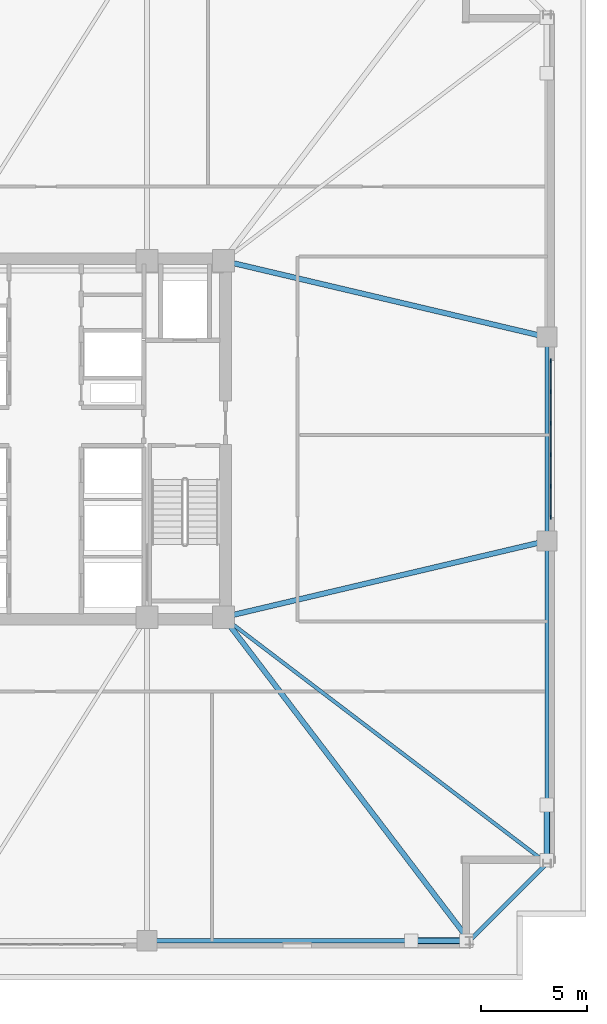
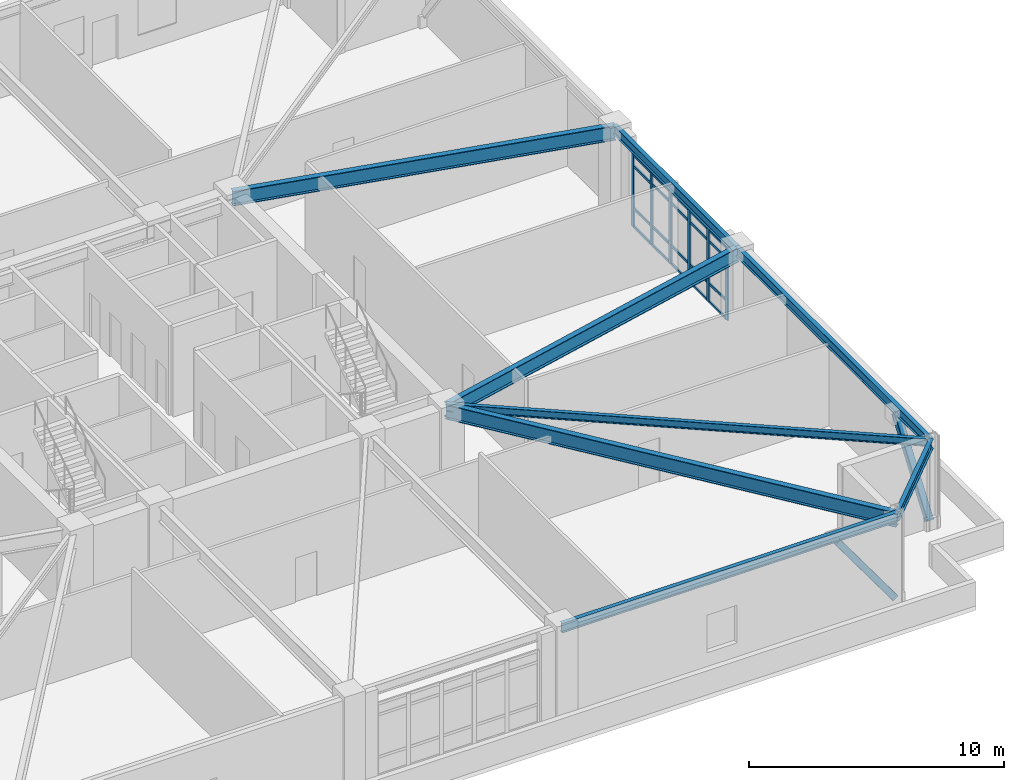
# One storey, part 4 of 13: 28 members, 8 beams, 1 element without a shape of its own.
"""IFC4 building model written with IfcOpenShell, lengths in metres."""

from ifc_helpers import new_model, si_unit, direction, frame, origin, origin_2d, place, context, subcontext, project, spatial, rectangle, hollow_rectangle, i_section, extrude, material, layer, layer_set, material_profile, profile_set, type_object, element, aggregate, save


model = new_model("IFC4")

# Units and contexts
model_context = context("Model", 3, precision=1e-05, world=origin(), true_north=direction((0.0, 1.0)))
body_context = subcontext(model_context, "Body", "Model", "MODEL_VIEW")
ifc_project = project(units=[si_unit("LENGTHUNIT", "METRE"), si_unit("AREAUNIT", "SQUARE_METRE"), si_unit("VOLUMEUNIT", "CUBIC_METRE"), si_unit("PLANEANGLEUNIT", "RADIAN"), si_unit("MASSUNIT", "GRAM", prefix="KILO")], contexts=[model_context])

# Site, building, storey
site_placement = place(None, origin())
site = spatial("IfcSite", under=ifc_project, at=site_placement, CompositionType="ELEMENT")
building_placement = place(site_placement, origin())
building = spatial("IfcBuilding", under=site, at=building_placement, Name="Cairnveth Concourse Tower", CompositionType="ELEMENT")
storey_placement = place(building_placement, frame((0.0, 0.0, 101.5)))
storey = spatial("IfcBuildingStorey", under=building, at=storey_placement, Name="L27", CompositionType="ELEMENT", Elevation=101.5)

# Curtain wall, members
ifc_material_1 = material(Name="Architectural Bronze Anodised Aluminium 6063-T6", Category="aluminium")
ifc_layer = layer(ifc_material_1, 0.320068359375)
ifc_layer_set = layer_set([ifc_layer], Name="Architectural Bronze Anodised Aluminium 6063-T6")
curtain_wall_type = type_object("IfcCurtainWallType", Name="SKY LOBBY WINTERGARDEN CURTAIN WALL", PredefinedType="USERDEFINED", material=ifc_layer_set)
curtain_wall_placement = place(storey_placement, origin())
curtain_wall = element("IfcCurtainWall", 1, at=curtain_wall_placement, inside=storey, type_object=curtain_wall_type, Name="Curtain Wall CW-L27-F3", ObjectType="UNITISED FACADE", PredefinedType="USERDEFINED")
ifc_material_profile_1 = material_profile(ifc_material_1, rectangle(XDim=0.06494140625, YDim=0.179931640625, at=origin_2d()), Name="AL-MUL-65x180")
ifc_profile_set_1 = profile_set([ifc_material_profile_1], Name="Architectural Bronze Anodised Aluminium 6063-T6")
member_type_1 = type_object("IfcMemberType", Name="BRONZE CURTAIN WALL MULLION AL-MUL-65x180", PredefinedType="MULLION", material=ifc_profile_set_1)
member_1_placement = place(storey_placement, frame((75.830078125, 42.6826171875, 0.0), z_axis=(0.0, 0.0, 1.0), x_axis=(1.0, 0.0, 0.0)))
member_1 = element("IfcMember", 2, at=member_1_placement, type_object=member_type_1, Name="CWS4 mullion 1", PredefinedType="MULLION", context=body_context, shape_type="SweptSolid", body=[
    extrude(rectangle(XDim=0.06494140625, YDim=0.179931640625, at=origin_2d()), origin(), (0.0, 0.0, 1.0), 3.47998046875),
])
member_2_placement = place(storey_placement, frame((75.830078125, 41.22900390625, 0.0), z_axis=(0.0, 0.0, 1.0), x_axis=(1.0, 0.0, 0.0)))
member_2 = element("IfcMember", 3, at=member_2_placement, type_object=member_type_1, Name="CWS4 mullion 2", PredefinedType="MULLION", context=body_context, shape_type="SweptSolid", body=[
    extrude(rectangle(XDim=0.06494140625, YDim=0.179931640625, at=origin_2d()), origin(), (0.0, 0.0, 1.0), 3.47998046875),
])
member_3_placement = place(storey_placement, frame((75.830078125, 39.742919921875, 0.0), z_axis=(0.0, 0.0, 1.0), x_axis=(1.0, 0.0, 0.0)))
member_3 = element("IfcMember", 4, at=member_3_placement, type_object=member_type_1, Name="CWS4 mullion 3", PredefinedType="MULLION", context=body_context, shape_type="SweptSolid", body=[
    extrude(rectangle(XDim=0.06494140625, YDim=0.179931640625, at=origin_2d()), origin(), (0.0, 0.0, 1.0), 3.47998046875),
])
member_4_placement = place(storey_placement, frame((75.830078125, 38.257080078125, 0.0), z_axis=(0.0, 0.0, 1.0), x_axis=(1.0, 0.0, 0.0)))
member_4 = element("IfcMember", 5, at=member_4_placement, type_object=member_type_1, Name="CWS4 mullion 4", PredefinedType="MULLION", context=body_context, shape_type="SweptSolid", body=[
    extrude(rectangle(XDim=0.06494140625, YDim=0.179931640625, at=origin_2d()), origin(), (0.0, 0.0, 1.0), 3.47998046875),
])
member_5_placement = place(storey_placement, frame((75.830078125, 36.77099609375, 0.0), z_axis=(0.0, 0.0, 1.0), x_axis=(1.0, 0.0, 0.0)))
member_5 = element("IfcMember", 6, at=member_5_placement, type_object=member_type_1, Name="CWS4 mullion 5", PredefinedType="MULLION", context=body_context, shape_type="SweptSolid", body=[
    extrude(rectangle(XDim=0.06494140625, YDim=0.179931640625, at=origin_2d()), origin(), (0.0, 0.0, 1.0), 3.47998046875),
])
member_6_placement = place(storey_placement, frame((75.830078125, 35.3173828125, 0.0), z_axis=(0.0, 0.0, 1.0), x_axis=(1.0, 0.0, 0.0)))
member_6 = element("IfcMember", 7, at=member_6_placement, type_object=member_type_1, Name="CWS4 mullion 6", PredefinedType="MULLION", context=body_context, shape_type="SweptSolid", body=[
    extrude(rectangle(XDim=0.06494140625, YDim=0.179931640625, at=origin_2d()), origin(), (0.0, 0.0, 1.0), 3.47998046875),
])
ifc_material_profile_2 = material_profile(ifc_material_1, rectangle(XDim=0.06494140625, YDim=0.1201171875, at=origin_2d()), Name="AL-TRN-65x120")
ifc_profile_set_2 = profile_set([ifc_material_profile_2], Name="Architectural Bronze Anodised Aluminium 6063-T6")
member_type_2 = type_object("IfcMemberType", Name="BRONZE CURTAIN WALL TRANSOM AL-TRN-65x120", PredefinedType="USERDEFINED", material=ifc_profile_set_2)
member_7_placement = place(storey_placement, frame((75.830078125, 42.64990234375, 0.032470703125), z_axis=(0.0, -1.0, 0.0), x_axis=(1.0, 0.0, 0.0)))
member_7 = element("IfcMember", 8, at=member_7_placement, type_object=member_type_2, Name="CWS4 transom 1.1", ObjectType="TRANSOM", PredefinedType="USERDEFINED", context=body_context, shape_type="SweptSolid", body=[
    extrude(rectangle(XDim=0.06494140625, YDim=0.1201171875, at=origin_2d()), origin(), (0.0, 0.0, 1.0), 1.388427734375),
])
member_8_placement = place(storey_placement, frame((75.830078125, 42.64990234375, 0.89990234375), z_axis=(0.0, -1.0, 0.0), x_axis=(1.0, 0.0, 0.0)))
member_8 = element("IfcMember", 9, at=member_8_placement, type_object=member_type_2, Name="CWS4 transom 1.2", ObjectType="TRANSOM", PredefinedType="USERDEFINED", context=body_context, shape_type="SweptSolid", body=[
    extrude(rectangle(XDim=0.06494140625, YDim=0.1201171875, at=origin_2d()), origin(), (0.0, 0.0, 1.0), 1.388427734375),
])
member_9_placement = place(storey_placement, frame((75.830078125, 42.64990234375, 2.929931640625), z_axis=(0.0, -1.0, 0.0), x_axis=(1.0, 0.0, 0.0)))
member_9 = element("IfcMember", 10, at=member_9_placement, type_object=member_type_2, Name="CWS4 transom 1.3", ObjectType="TRANSOM", PredefinedType="USERDEFINED", context=body_context, shape_type="SweptSolid", body=[
    extrude(rectangle(XDim=0.06494140625, YDim=0.1201171875, at=origin_2d()), origin(), (0.0, 0.0, 1.0), 1.388427734375),
])
member_10_placement = place(storey_placement, frame((75.830078125, 42.64990234375, 3.447509765625), z_axis=(0.0, -1.0, 0.0), x_axis=(1.0, 0.0, 0.0)))
member_10 = element("IfcMember", 11, at=member_10_placement, type_object=member_type_2, Name="CWS4 transom 1.4", ObjectType="TRANSOM", PredefinedType="USERDEFINED", context=body_context, shape_type="SweptSolid", body=[
    extrude(rectangle(XDim=0.06494140625, YDim=0.1201171875, at=origin_2d()), origin(), (0.0, 0.0, 1.0), 1.388427734375),
])
member_11_placement = place(storey_placement, frame((75.830078125, 41.196533203125, 0.032470703125), z_axis=(0.0, -1.0, 0.0), x_axis=(1.0, 0.0, 0.0)))
member_11 = element("IfcMember", 12, at=member_11_placement, type_object=member_type_2, Name="CWS4 transom 2.1", ObjectType="TRANSOM", PredefinedType="USERDEFINED", context=body_context, shape_type="SweptSolid", body=[
    extrude(rectangle(XDim=0.06494140625, YDim=0.1201171875, at=origin_2d()), origin(), (0.0, 0.0, 1.0), 1.421142578125),
])
member_12_placement = place(storey_placement, frame((75.830078125, 41.196533203125, 0.89990234375), z_axis=(0.0, -1.0, 0.0), x_axis=(1.0, 0.0, 0.0)))
member_12 = element("IfcMember", 13, at=member_12_placement, type_object=member_type_2, Name="CWS4 transom 2.2", ObjectType="TRANSOM", PredefinedType="USERDEFINED", context=body_context, shape_type="SweptSolid", body=[
    extrude(rectangle(XDim=0.06494140625, YDim=0.1201171875, at=origin_2d()), origin(), (0.0, 0.0, 1.0), 1.421142578125),
])
member_13_placement = place(storey_placement, frame((75.830078125, 41.196533203125, 2.929931640625), z_axis=(0.0, -1.0, 0.0), x_axis=(1.0, 0.0, 0.0)))
member_13 = element("IfcMember", 14, at=member_13_placement, type_object=member_type_2, Name="CWS4 transom 2.3", ObjectType="TRANSOM", PredefinedType="USERDEFINED", context=body_context, shape_type="SweptSolid", body=[
    extrude(rectangle(XDim=0.06494140625, YDim=0.1201171875, at=origin_2d()), origin(), (0.0, 0.0, 1.0), 1.421142578125),
])
member_14_placement = place(storey_placement, frame((75.830078125, 41.196533203125, 3.447509765625), z_axis=(0.0, -1.0, 0.0), x_axis=(1.0, 0.0, 0.0)))
member_14 = element("IfcMember", 15, at=member_14_placement, type_object=member_type_2, Name="CWS4 transom 2.4", ObjectType="TRANSOM", PredefinedType="USERDEFINED", context=body_context, shape_type="SweptSolid", body=[
    extrude(rectangle(XDim=0.06494140625, YDim=0.1201171875, at=origin_2d()), origin(), (0.0, 0.0, 1.0), 1.421142578125),
])
member_15_placement = place(storey_placement, frame((75.830078125, 39.71044921875, 0.032470703125), z_axis=(0.0, -1.0, 0.0), x_axis=(1.0, 0.0, 0.0)))
member_15 = element("IfcMember", 16, at=member_15_placement, type_object=member_type_2, Name="CWS4 transom 3.1", ObjectType="TRANSOM", PredefinedType="USERDEFINED", context=body_context, shape_type="SweptSolid", body=[
    extrude(rectangle(XDim=0.06494140625, YDim=0.1201171875, at=origin_2d()), origin(), (0.0, 0.0, 1.0), 1.4208984375),
])
member_16_placement = place(storey_placement, frame((75.830078125, 39.71044921875, 0.89990234375), z_axis=(0.0, -1.0, 0.0), x_axis=(1.0, 0.0, 0.0)))
member_16 = element("IfcMember", 17, at=member_16_placement, type_object=member_type_2, Name="CWS4 transom 3.2", ObjectType="TRANSOM", PredefinedType="USERDEFINED", context=body_context, shape_type="SweptSolid", body=[
    extrude(rectangle(XDim=0.06494140625, YDim=0.1201171875, at=origin_2d()), origin(), (0.0, 0.0, 1.0), 1.4208984375),
])
member_17_placement = place(storey_placement, frame((75.830078125, 39.71044921875, 2.929931640625), z_axis=(0.0, -1.0, 0.0), x_axis=(1.0, 0.0, 0.0)))
member_17 = element("IfcMember", 18, at=member_17_placement, type_object=member_type_2, Name="CWS4 transom 3.3", ObjectType="TRANSOM", PredefinedType="USERDEFINED", context=body_context, shape_type="SweptSolid", body=[
    extrude(rectangle(XDim=0.06494140625, YDim=0.1201171875, at=origin_2d()), origin(), (0.0, 0.0, 1.0), 1.4208984375),
])
member_18_placement = place(storey_placement, frame((75.830078125, 39.71044921875, 3.447509765625), z_axis=(0.0, -1.0, 0.0), x_axis=(1.0, 0.0, 0.0)))
member_18 = element("IfcMember", 19, at=member_18_placement, type_object=member_type_2, Name="CWS4 transom 3.4", ObjectType="TRANSOM", PredefinedType="USERDEFINED", context=body_context, shape_type="SweptSolid", body=[
    extrude(rectangle(XDim=0.06494140625, YDim=0.1201171875, at=origin_2d()), origin(), (0.0, 0.0, 1.0), 1.4208984375),
])
member_19_placement = place(storey_placement, frame((75.830078125, 38.224609375, 0.032470703125), z_axis=(0.0, -1.0, 0.0), x_axis=(1.0, 0.0, 0.0)))
member_19 = element("IfcMember", 20, at=member_19_placement, type_object=member_type_2, Name="CWS4 transom 4.1", ObjectType="TRANSOM", PredefinedType="USERDEFINED", context=body_context, shape_type="SweptSolid", body=[
    extrude(rectangle(XDim=0.06494140625, YDim=0.1201171875, at=origin_2d()), origin(), (0.0, 0.0, 1.0), 1.421142578125),
])
member_20_placement = place(storey_placement, frame((75.830078125, 38.224609375, 0.89990234375), z_axis=(0.0, -1.0, 0.0), x_axis=(1.0, 0.0, 0.0)))
member_20 = element("IfcMember", 21, at=member_20_placement, type_object=member_type_2, Name="CWS4 transom 4.2", ObjectType="TRANSOM", PredefinedType="USERDEFINED", context=body_context, shape_type="SweptSolid", body=[
    extrude(rectangle(XDim=0.06494140625, YDim=0.1201171875, at=origin_2d()), origin(), (0.0, 0.0, 1.0), 1.421142578125),
])
member_21_placement = place(storey_placement, frame((75.830078125, 38.224609375, 2.929931640625), z_axis=(0.0, -1.0, 0.0), x_axis=(1.0, 0.0, 0.0)))
member_21 = element("IfcMember", 22, at=member_21_placement, type_object=member_type_2, Name="CWS4 transom 4.3", ObjectType="TRANSOM", PredefinedType="USERDEFINED", context=body_context, shape_type="SweptSolid", body=[
    extrude(rectangle(XDim=0.06494140625, YDim=0.1201171875, at=origin_2d()), origin(), (0.0, 0.0, 1.0), 1.421142578125),
])
member_22_placement = place(storey_placement, frame((75.830078125, 38.224609375, 3.447509765625), z_axis=(0.0, -1.0, 0.0), x_axis=(1.0, 0.0, 0.0)))
member_22 = element("IfcMember", 23, at=member_22_placement, type_object=member_type_2, Name="CWS4 transom 4.4", ObjectType="TRANSOM", PredefinedType="USERDEFINED", context=body_context, shape_type="SweptSolid", body=[
    extrude(rectangle(XDim=0.06494140625, YDim=0.1201171875, at=origin_2d()), origin(), (0.0, 0.0, 1.0), 1.421142578125),
])
member_23_placement = place(storey_placement, frame((75.830078125, 36.738525390625, 0.032470703125), z_axis=(0.0, -1.0, 0.0), x_axis=(1.0, 0.0, 0.0)))
member_23 = element("IfcMember", 24, at=member_23_placement, type_object=member_type_2, Name="CWS4 transom 5.1", ObjectType="TRANSOM", PredefinedType="USERDEFINED", context=body_context, shape_type="SweptSolid", body=[
    extrude(rectangle(XDim=0.06494140625, YDim=0.1201171875, at=origin_2d()), origin(), (0.0, 0.0, 1.0), 1.388427734375),
])
member_24_placement = place(storey_placement, frame((75.830078125, 36.738525390625, 0.89990234375), z_axis=(0.0, -1.0, 0.0), x_axis=(1.0, 0.0, 0.0)))
member_24 = element("IfcMember", 25, at=member_24_placement, type_object=member_type_2, Name="CWS4 transom 5.2", ObjectType="TRANSOM", PredefinedType="USERDEFINED", context=body_context, shape_type="SweptSolid", body=[
    extrude(rectangle(XDim=0.06494140625, YDim=0.1201171875, at=origin_2d()), origin(), (0.0, 0.0, 1.0), 1.388427734375),
])
member_25_placement = place(storey_placement, frame((75.830078125, 36.738525390625, 2.929931640625), z_axis=(0.0, -1.0, 0.0), x_axis=(1.0, 0.0, 0.0)))
member_25 = element("IfcMember", 26, at=member_25_placement, type_object=member_type_2, Name="CWS4 transom 5.3", ObjectType="TRANSOM", PredefinedType="USERDEFINED", context=body_context, shape_type="SweptSolid", body=[
    extrude(rectangle(XDim=0.06494140625, YDim=0.1201171875, at=origin_2d()), origin(), (0.0, 0.0, 1.0), 1.388427734375),
])
member_26_placement = place(storey_placement, frame((75.830078125, 36.738525390625, 3.447509765625), z_axis=(0.0, -1.0, 0.0), x_axis=(1.0, 0.0, 0.0)))
member_26 = element("IfcMember", 27, at=member_26_placement, type_object=member_type_2, Name="CWS4 transom 5.4", ObjectType="TRANSOM", PredefinedType="USERDEFINED", context=body_context, shape_type="SweptSolid", body=[
    extrude(rectangle(XDim=0.06494140625, YDim=0.1201171875, at=origin_2d()), origin(), (0.0, 0.0, 1.0), 1.388427734375),
])
aggregate(curtain_wall, [member_1, member_2, member_3, member_4, member_5, member_6, member_7, member_8, member_9, member_10, member_11, member_12, member_13, member_14, member_15, member_16, member_17, member_18, member_19, member_20, member_21, member_22, member_23, member_24, member_25, member_26])

# Beam
ifc_material_2 = material(Name="Steel Grade 350", Category="steel")
ifc_material_profile_3 = material_profile(ifc_material_2, i_section(OverallWidth=0.172119140625, OverallDepth=0.35888671875, WebThickness=0.008056640625, FlangeThickness=0.012939453125, FilletRadius=0.010986328125, at=origin_2d()), Name="360UB56.7")
ifc_profile_set_3 = profile_set([ifc_material_profile_3], Name="Steel Grade 350")
beam_type_1 = type_object("IfcBeamType", Name="ZONE 2 FLOOR JOIST 360UB56.7", PredefinedType="JOIST", material=ifc_profile_set_3)
beam_1_placement = place(storey_placement, frame((75.64990234375, 19.0, 4.1005859375), z_axis=(-0.795908242904, 0.6054172684, 0.0), x_axis=(-0.6054172684, -0.795908242904, 0.0)))
element("IfcBeam", 28, at=beam_1_placement, inside=storey, type_object=beam_type_1, Name="Beam FJ-CSE2 L27", PredefinedType="JOIST", context=body_context, shape_type="SweptSolid", body=[
    extrude(i_section(OverallWidth=0.172119140625, OverallDepth=0.35888671875, WebThickness=0.008056640625, FlangeThickness=0.012939453125, FilletRadius=0.010986328125, at=origin_2d()), origin(), (0.0, 0.0, 1.0), 19.160400390625),
])

# Members
ifc_material_3 = material(Name="Steel C350L0 (350 MPa)", Category="steel")
ifc_material_profile_4 = material_profile(ifc_material_3, hollow_rectangle(XDim=0.300048828125, YDim=0.300048828125, WallThickness=0.01611328125, InnerFilletRadius=0.01611328125, OuterFilletRadius=0.031982421875, at=origin_2d()), Name="300x300x16.0SHS")
ifc_profile_set_4 = profile_set([ifc_material_profile_4], Name="Steel C350L0 (350 MPa)")
member_type_3 = type_object("IfcMemberType", Name="ZONE 2 PIER BRACE 300X300X16SHS", PredefinedType="BRACE", material=ifc_profile_set_4)
for number, where, z_axis, x_axis, name in (
    (29, (71.85009765625, 15.35009765625, 0.25), (-0.587640077388, 0.0, 0.809122450218), (0.0, -1.0, 0.0), "Structural Brace PB-S2 L27"),
    (30, (75.64990234375, 19.14990234375, 0.25), (0.0, 0.587640077388, 0.809122450218), (-1.0, 0.0, 0.0), "Structural Brace PB-E1 L27"),
):
    element("IfcMember", number, at=place(storey_placement, frame(where, z_axis=z_axis, x_axis=x_axis)), inside=storey, type_object=member_type_3, Name=name, PredefinedType="BRACE", context=body_context, shape_type="SweptSolid", body=[
        extrude(hollow_rectangle(XDim=0.300048828125, YDim=0.300048828125, WallThickness=0.01611328125, InnerFilletRadius=0.01611328125, OuterFilletRadius=0.031982421875, at=origin_2d()), origin(), (0.0, 0.0, 1.0), 4.424560546875),
    ])

# Beams
ifc_material_profile_5 = material_profile(ifc_material_2, i_section(OverallWidth=0.25, OverallDepth=0.699951171875, WebThickness=0.011962890625, FlangeThickness=0.028076171875, at=origin_2d()), Name="700WB173")
ifc_profile_set_5 = profile_set([ifc_material_profile_5], Name="Steel Grade 350")
beam_type_2 = type_object("IfcBeamType", Name="ZONE 2 RADIAL GIRDER 700WB173", PredefinedType="BEAM", material=ifc_profile_set_5)
for number, where, z_axis, x_axis, name in (
    (31, (60.39990234375, 30.60009765625, 3.929931640625), (0.973251602929, 0.229741849468, 0.0), (-0.229741849468, 0.973251602929, 0.0), "Beam RG-E1 L27"),
    (32, (60.39990234375, 47.39990234375, 3.929931640625), (0.973251602929, -0.229741849468, 0.0), (0.229741849468, 0.973251602929, 0.0), "Beam RG-E2 L27"),
):
    element("IfcBeam", number, at=place(storey_placement, frame(where, z_axis=z_axis, x_axis=x_axis)), inside=storey, type_object=beam_type_2, Name=name, PredefinedType="BEAM", context=body_context, shape_type="SweptSolid", body=[
        extrude(i_section(OverallWidth=0.25, OverallDepth=0.699951171875, WebThickness=0.011962890625, FlangeThickness=0.028076171875, at=origin_2d()), origin(), (0.0, 0.0, 1.0), 15.669189453125),
    ])
beam_2_placement = place(storey_placement, frame((72.0, 15.35009765625, 3.929931640625), z_axis=(-0.6054172684, 0.795908242904, 0.0), x_axis=(-0.795908242904, -0.6054172684, 0.0)))
element("IfcBeam", 33, at=beam_2_placement, inside=storey, type_object=beam_type_2, Name="Beam RG-CSE L27", PredefinedType="BEAM", context=body_context, shape_type="SweptSolid", body=[
    extrude(i_section(OverallWidth=0.25, OverallDepth=0.699951171875, WebThickness=0.011962890625, FlangeThickness=0.028076171875, at=origin_2d()), origin(), (0.0, 0.0, 1.0), 19.160400390625),
])
ifc_material_profile_6 = material_profile(ifc_material_2, i_section(OverallWidth=0.18994140625, OverallDepth=0.45703125, WebThickness=0.009033203125, FlangeThickness=0.014404296875, FilletRadius=0.010986328125, at=origin_2d()), Name="460UB74.6")
ifc_profile_set_6 = profile_set([ifc_material_profile_6], Name="Steel Grade 350")
beam_type_3 = type_object("IfcBeamType", Name="ZONE 2 SPANDREL BEAM 460UB74.6", PredefinedType="SPANDREL", material=ifc_profile_set_6)
for number, where, z_axis, x_axis, name in (
    (34, (56.800048828125, 15.35009765625, 4.051513671875), (1.0, 0.0, 0.0), (0.0, 1.0, 0.0), "Beam SP-S3 L27"),
    (35, (75.64990234375, 19.0, 4.051513671875), (0.0, 1.0, 0.0), (-1.0, 0.0, 0.0), "Beam SP-E1 L27"),
):
    element("IfcBeam", number, at=place(storey_placement, frame(where, z_axis=z_axis, x_axis=x_axis)), inside=storey, type_object=beam_type_3, Name=name, PredefinedType="SPANDREL", context=body_context, shape_type="SweptSolid", body=[
        extrude(i_section(OverallWidth=0.18994140625, OverallDepth=0.45703125, WebThickness=0.009033203125, FlangeThickness=0.014404296875, FilletRadius=0.010986328125, at=origin_2d()), origin(), (0.0, 0.0, 1.0), 15.199951171875),
    ])
beam_3_placement = place(storey_placement, frame((75.64990234375, 34.199951171875, 4.051513671875), z_axis=(0.0, 1.0, 0.0), x_axis=(-1.0, 0.0, 0.0)))
element("IfcBeam", 36, at=beam_3_placement, inside=storey, type_object=beam_type_3, Name="Beam SP-E2 L27", PredefinedType="SPANDREL", context=body_context, shape_type="SweptSolid", body=[
    extrude(i_section(OverallWidth=0.18994140625, OverallDepth=0.45703125, WebThickness=0.009033203125, FlangeThickness=0.014404296875, FilletRadius=0.010986328125, at=origin_2d()), origin(), (0.0, 0.0, 1.0), 9.60009765625),
])
beam_4_placement = place(storey_placement, frame((72.0, 15.35009765625, 4.051513671875), z_axis=(0.707106781187, 0.707106781187, 0.0), x_axis=(-0.707106781187, 0.707106781187, 0.0)))
element("IfcBeam", 37, at=beam_4_placement, inside=storey, type_object=beam_type_3, Name="Beam SP-SE L27", PredefinedType="SPANDREL", context=body_context, shape_type="SweptSolid", body=[
    extrude(i_section(OverallWidth=0.18994140625, OverallDepth=0.45703125, WebThickness=0.009033203125, FlangeThickness=0.014404296875, FilletRadius=0.010986328125, at=origin_2d()), origin(), (0.0, 0.0, 1.0), 5.16162109375),
])

save(model, "model.ifc")
